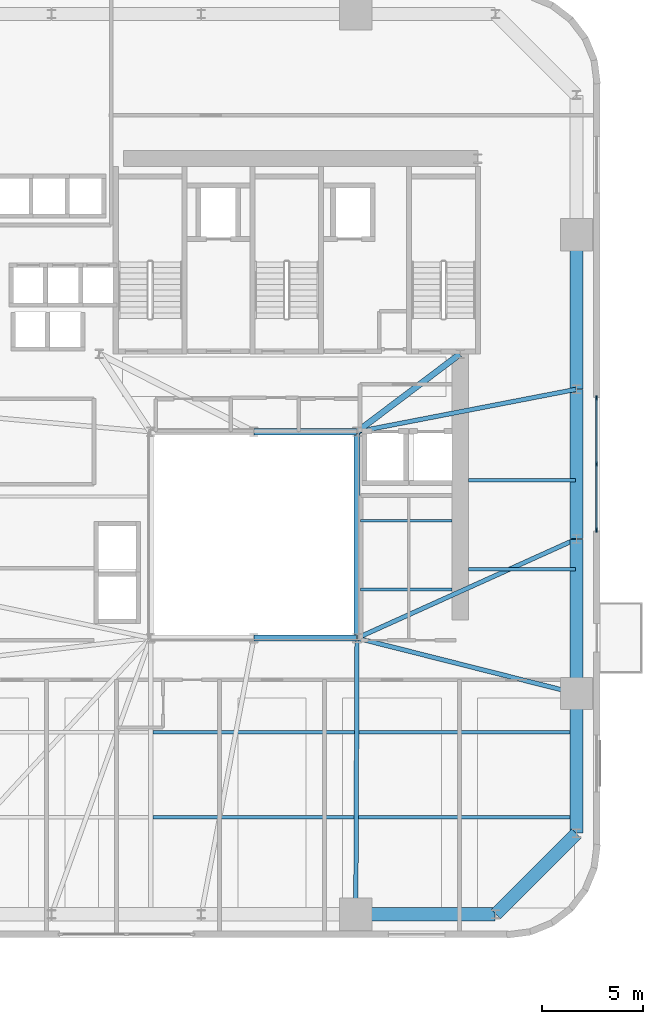
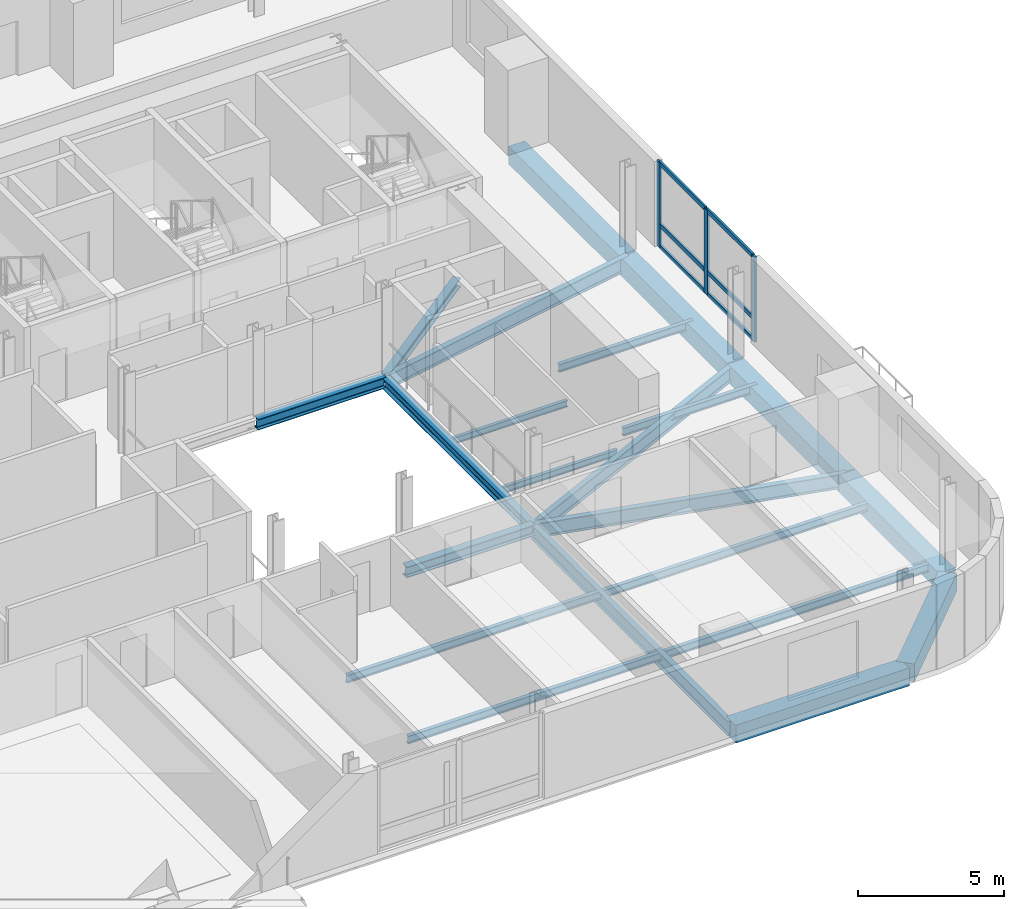
# One storey, part 3 of 14: 20 beams, 9 members, 1 element without a shape of its own.
"""IFC4 building model written with IfcOpenShell, lengths in metres."""

from ifc_helpers import new_model, si_unit, direction, frame, origin, origin_2d, place, context, subcontext, project, spatial, rectangle, i_section, extrude, source, transform, mapped, material, material_profile, profile_set, type_object, element, aggregate, save


model = new_model("IFC4")

# Units and contexts
model_context = context("Model", 3, precision=1e-05, world=origin(), true_north=direction((0.0, 1.0)))
body_context = subcontext(model_context, "Body", "Model", "MODEL_VIEW")
ifc_project = project(units=[si_unit("LENGTHUNIT", "METRE"), si_unit("AREAUNIT", "SQUARE_METRE"), si_unit("VOLUMEUNIT", "CUBIC_METRE"), si_unit("PLANEANGLEUNIT", "RADIAN"), si_unit("MASSUNIT", "GRAM", prefix="KILO")], contexts=[model_context])

# Site, building, storey
site_placement = place(None, origin())
site = spatial("IfcSite", under=ifc_project, at=site_placement, CompositionType="ELEMENT")
building_placement = place(site_placement, origin())
building = spatial("IfcBuilding", under=site, at=building_placement, Name="Vardaveli Station Tower", CompositionType="ELEMENT")
storey_placement = place(building_placement, frame((0.0, 0.0, 103.699951171875)))
storey = spatial("IfcBuildingStorey", under=building, at=storey_placement, Name="L26", CompositionType="ELEMENT", Elevation=103.699951171875)

# Beams
ifc_material_1 = material(Name="Structural steel S355J2", Category="steel")
ifc_material_profile_1 = material_profile(ifc_material_1, i_section(OverallWidth=0.300048828125, OverallDepth=0.449951171875, WebThickness=0.013916015625, FlangeThickness=0.02587890625, FilletRadius=0.027099609375, at=origin_2d()), Name="HEB 450")
ifc_profile_set_1 = profile_set([ifc_material_profile_1], Name="Structural steel S355J2")
beam_type_1 = type_object("IfcBeamType", Name="BM-HEB450", PredefinedType="BEAM", material=ifc_profile_set_1)
shared_shape_1 = source(origin(), body_context, "Body", "SweptSolid", [
    extrude(i_section(OverallWidth=0.300048828125, OverallDepth=0.449951171875, WebThickness=0.013916015625, FlangeThickness=0.02587890625, FilletRadius=0.027099609375, at=origin_2d()), origin(), (0.0, 0.0, 1.0), 5.059814453125),
])
for number, where, z_axis, x_axis, name in (
    (1, (36.320068359375, 16.60009765625, -0.46484375), (1.0, 0.0, 0.0), (0.0, 1.0, 0.0), "ABM-L26-02"),
    (2, (41.3798828125, 26.800048828125, -0.46484375), (-1.0, 0.0, 0.0), (0.0, -1.0, 0.0), "ABM-L26-04"),
):
    element("IfcBeam", number, at=place(storey_placement, frame(where, z_axis=z_axis, x_axis=x_axis)), inside=storey, type_object=beam_type_1, Name=name, PredefinedType="BEAM", context=body_context, shape_type="MappedRepresentation", body=[
        mapped(shared_shape_1, transform((0.0, 0.0, 0.0), scale=1.0)),
    ])
shared_shape_2 = source(origin(), body_context, "Body", "SweptSolid", [
    extrude(i_section(OverallWidth=0.300048828125, OverallDepth=0.449951171875, WebThickness=0.013916015625, FlangeThickness=0.02587890625, FilletRadius=0.027099609375, at=origin_2d()), origin(), (0.0, 0.0, 1.0), 10.159912109375),
])
beam_1_placement = place(storey_placement, frame((41.39990234375, 16.6201171875, -0.46484375), z_axis=(0.0, 1.0, 0.0), x_axis=(-1.0, 0.0, 0.0)))
element("IfcBeam", 3, at=beam_1_placement, inside=storey, type_object=beam_type_1, Name="ABM-L26-03", PredefinedType="BEAM", context=body_context, shape_type="MappedRepresentation", body=[
    mapped(shared_shape_2, transform((0.0, 0.0, 0.0), scale=1.0)),
])
ifc_material_profile_2 = material_profile(ifc_material_1, i_section(OverallWidth=0.300048828125, OverallDepth=0.360107421875, WebThickness=0.012451171875, FlangeThickness=0.0224609375, FilletRadius=0.027099609375, at=origin_2d()), Name="HEB 360")
ifc_profile_set_2 = profile_set([ifc_material_profile_2], Name="Structural steel S355J2")
beam_type_2 = type_object("IfcBeamType", Name="BM-HEB360", PredefinedType="BEAM", material=ifc_profile_set_2)
shared_shape_3 = source(origin(), body_context, "Body", "SweptSolid", [
    extrude(i_section(OverallWidth=0.300048828125, OverallDepth=0.360107421875, WebThickness=0.012451171875, FlangeThickness=0.0224609375, FilletRadius=0.027099609375, at=origin_2d()), origin(), (0.0, 0.0, 1.0), 6.35009765625),
])
beam_2_placement = place(storey_placement, frame((41.416015625, 26.81201171875, -0.419921875), z_axis=(0.798118337722, 0.602500721154, 0.0), x_axis=(-0.602500721154, 0.798118337722, 0.0)))
element("IfcBeam", 4, at=beam_2_placement, inside=storey, type_object=beam_type_2, Name="CBM-L26-02", PredefinedType="BEAM", context=body_context, shape_type="MappedRepresentation", body=[
    mapped(shared_shape_3, transform((0.0, 0.0, 0.0), scale=1.0)),
])
ifc_material_2 = material(Name="Precast concrete C45/55", Category="concrete")
ifc_material_profile_3 = material_profile(ifc_material_2, rectangle(XDim=0.64990234375, YDim=0.75, at=origin_2d()), Name="LPB 650x750")
ifc_profile_set_3 = profile_set([ifc_material_profile_3], Name="Precast concrete C45/55")
beam_type_3 = type_object("IfcBeamType", Name="BM-LPB-750", PredefinedType="BEAM", material=ifc_profile_set_3)
shared_shape_4 = source(origin(), body_context, "Body", "SweptSolid", [
    extrude(rectangle(XDim=0.64990234375, YDim=0.75, at=origin_2d()), origin(), (0.0, 0.0, 1.0), 7.60009765625),
])
for number, where, z_axis, x_axis, name in (
    (5, (52.25, 13.8798828125, -0.614990234375), (0.0, 1.0, 0.0), (-1.0, 0.0, 0.0), "RBM-L26-07"),
    (6, (52.25, 28.919921875, -0.614990234375), (0.0, 1.0, 0.0), (-1.0, 0.0, 0.0), "RBM-L26-09"),
):
    element("IfcBeam", number, at=place(storey_placement, frame(where, z_axis=z_axis, x_axis=x_axis)), inside=storey, type_object=beam_type_3, Name=name, PredefinedType="BEAM", context=body_context, shape_type="MappedRepresentation", body=[
        mapped(shared_shape_4, transform((0.0, 0.0, 0.0), scale=1.0)),
    ])
shared_shape_5 = source(origin(), body_context, "Body", "SweptSolid", [
    extrude(rectangle(XDim=0.64990234375, YDim=0.75, at=origin_2d()), origin(), (0.0, 0.0, 1.0), 7.35986328125),
])
beam_3_placement = place(storey_placement, frame((52.25, 21.52001953125, -0.614990234375), z_axis=(0.0, 1.0, 0.0), x_axis=(-1.0, 0.0, 0.0)))
element("IfcBeam", 7, at=beam_3_placement, inside=storey, type_object=beam_type_3, Name="RBM-L26-08", PredefinedType="BEAM", context=body_context, shape_type="MappedRepresentation", body=[
    mapped(shared_shape_5, transform((0.0, 0.0, 0.0), scale=1.0)),
])
shared_shape_6 = source(origin(), body_context, "Body", "SweptSolid", [
    extrude(rectangle(XDim=0.64990234375, YDim=0.75, at=origin_2d()), origin(), (0.0, 0.0, 1.0), 6.869873046875),
])
beam_4_placement = place(storey_placement, frame((41.360107421875, 2.949951171875, -0.614990234375), z_axis=(1.0, 0.0, 0.0), x_axis=(0.0, 1.0, 0.0)))
element("IfcBeam", 8, at=beam_4_placement, inside=storey, type_object=beam_type_3, Name="RBM-L26-04", PredefinedType="BEAM", context=body_context, shape_type="MappedRepresentation", body=[
    mapped(shared_shape_6, transform((0.0, 0.0, 0.0), scale=1.0)),
])
shared_shape_7 = source(origin(), body_context, "Body", "SweptSolid", [
    extrude(rectangle(XDim=0.64990234375, YDim=0.75, at=origin_2d()), origin(), (0.0, 0.0, 1.0), 5.61669921875),
])
beam_5_placement = place(storey_placement, frame((48.26416015625, 2.964111328125, -0.614990234375), z_axis=(0.707106781187, 0.707106781187, 0.0), x_axis=(-0.707106781187, 0.707106781187, 0.0)))
element("IfcBeam", 9, at=beam_5_placement, inside=storey, type_object=beam_type_3, Name="RBM-L26-05", PredefinedType="BEAM", context=body_context, shape_type="MappedRepresentation", body=[
    mapped(shared_shape_7, transform((0.0, 0.0, 0.0), scale=1.0)),
])
shared_shape_8 = source(origin(), body_context, "Body", "SweptSolid", [
    extrude(rectangle(XDim=0.64990234375, YDim=0.75, at=origin_2d()), origin(), (0.0, 0.0, 1.0), 6.8701171875),
])
beam_6_placement = place(storey_placement, frame((52.25, 6.969970703125, -0.614990234375), z_axis=(0.0, 1.0, 0.0), x_axis=(-1.0, 0.0, 0.0)))
element("IfcBeam", 10, at=beam_6_placement, inside=storey, type_object=beam_type_3, Name="RBM-L26-06", PredefinedType="BEAM", context=body_context, shape_type="MappedRepresentation", body=[
    mapped(shared_shape_8, transform((0.0, 0.0, 0.0), scale=1.0)),
])
ifc_material_profile_4 = material_profile(ifc_material_1, i_section(OverallWidth=0.159912109375, OverallDepth=0.330078125, WebThickness=0.007568359375, FlangeThickness=0.011474609375, FilletRadius=0.01806640625, at=origin_2d()), Name="IPE 330")
ifc_profile_set_4 = profile_set([ifc_material_profile_4], Name="Structural steel S355J2")
beam_type_4 = type_object("IfcBeamType", Name="BM-IPE330", PredefinedType="JOIST", material=ifc_profile_set_4)
shared_shape_9 = source(origin(), body_context, "Body", "SweptSolid", [
    extrude(i_section(OverallWidth=0.159912109375, OverallDepth=0.330078125, WebThickness=0.007568359375, FlangeThickness=0.011474609375, FilletRadius=0.01806640625, at=origin_2d()), origin(), (0.0, 0.0, 1.0), 20.89794921875),
])
for number, where, z_axis, x_axis, name in (
    (11, (31.31201171875, 7.75, -0.405029296875), (1.0, 0.0, 0.0), (0.0, 1.0, 0.0), "SJ-L26-S02"),
    (12, (31.31201171875, 11.949951171875, -0.405029296875), (1.0, 0.0, 0.0), (0.0, 1.0, 0.0), "SJ-L26-S04"),
):
    element("IfcBeam", number, at=place(storey_placement, frame(where, z_axis=z_axis, x_axis=x_axis)), inside=storey, type_object=beam_type_4, Name=name, PredefinedType="JOIST", context=body_context, shape_type="MappedRepresentation", body=[
        mapped(shared_shape_9, transform((0.0, 0.0, 0.0), scale=1.0)),
    ])
shared_shape_10 = source(origin(), body_context, "Body", "SweptSolid", [
    extrude(i_section(OverallWidth=0.159912109375, OverallDepth=0.330078125, WebThickness=0.007568359375, FlangeThickness=0.011474609375, FilletRadius=0.01806640625, at=origin_2d()), origin(), (0.0, 0.0, 1.0), 5.304931640625),
])
for number, where, z_axis, x_axis, name in (
    (13, (46.905029296875, 20.0, -0.405029296875), (1.0, 0.0, 0.0), (0.0, 1.0, 0.0), "SJ-L26-E07"),
    (14, (46.905029296875, 24.39990234375, -0.405029296875), (1.0, 0.0, 0.0), (0.0, 1.0, 0.0), "SJ-L26-E08"),
):
    element("IfcBeam", number, at=place(storey_placement, frame(where, z_axis=z_axis, x_axis=x_axis)), inside=storey, type_object=beam_type_4, Name=name, PredefinedType="JOIST", context=body_context, shape_type="MappedRepresentation", body=[
        mapped(shared_shape_10, transform((0.0, 0.0, 0.0), scale=1.0)),
    ])
ifc_material_profile_5 = material_profile(ifc_material_1, i_section(OverallWidth=0.135009765625, OverallDepth=0.27001953125, WebThickness=0.006591796875, FlangeThickness=0.01025390625, FilletRadius=0.014892578125, at=origin_2d()), Name="IPE 270")
ifc_profile_set_5 = profile_set([ifc_material_profile_5], Name="Structural steel S355J2")
beam_type_5 = type_object("IfcBeamType", Name="BM-IPE270", PredefinedType="BEAM", material=ifc_profile_set_5)
shared_shape_11 = source(origin(), body_context, "Body", "SweptSolid", [
    extrude(i_section(OverallWidth=0.135009765625, OverallDepth=0.27001953125, WebThickness=0.006591796875, FlangeThickness=0.01025390625, FilletRadius=0.014892578125, at=origin_2d()), origin(), (0.0, 0.0, 1.0), 4.530029296875),
])
for number, where, z_axis, x_axis, name in (
    (15, (41.56494140625, 19.0, -0.375), (1.0, 0.0, 0.0), (0.0, 1.0, 0.0), "TJ-L26-01"),
    (16, (41.56494140625, 22.39990234375, -0.375), (1.0, 0.0, 0.0), (0.0, 1.0, 0.0), "TJ-L26-02"),
):
    element("IfcBeam", number, at=place(storey_placement, frame(where, z_axis=z_axis, x_axis=x_axis)), inside=storey, type_object=beam_type_5, Name=name, PredefinedType="BEAM", context=body_context, shape_type="MappedRepresentation", body=[
        mapped(shared_shape_11, transform((0.0, 0.0, 0.0), scale=1.0)),
    ])
ifc_material_profile_6 = material_profile(ifc_material_1, i_section(OverallWidth=0.219970703125, OverallDepth=0.60009765625, WebThickness=0.011962890625, FlangeThickness=0.01904296875, FilletRadius=0.02392578125, at=origin_2d()), Name="IPE 600")
ifc_profile_set_6 = profile_set([ifc_material_profile_6], Name="Structural steel S355J2")
beam_type_6 = type_object("IfcBeamType", Name="BM-IPE600", PredefinedType="BEAM", material=ifc_profile_set_6)
shared_shape_12 = source(origin(), body_context, "Body", "SweptSolid", [
    extrude(i_section(OverallWidth=0.219970703125, OverallDepth=0.60009765625, WebThickness=0.011962890625, FlangeThickness=0.01904296875, FilletRadius=0.02392578125, at=origin_2d()), origin(), (0.0, 0.0, 1.0), 13.6103515625),
])
beam_7_placement = place(storey_placement, frame((41.340087890625, 2.969970703125, -0.5400390625), z_axis=(0.004394812886, 0.999990342763, 0.0), x_axis=(-0.999990342763, 0.004394812886, 0.0)))
element("IfcBeam", 17, at=beam_7_placement, inside=storey, type_object=beam_type_6, Name="GBM-L26-04", PredefinedType="BEAM", context=body_context, shape_type="MappedRepresentation", body=[
    mapped(shared_shape_12, transform((0.0, 0.0, 0.0), scale=1.0)),
])
shared_shape_13 = source(origin(), body_context, "Body", "SweptSolid", [
    extrude(i_section(OverallWidth=0.219970703125, OverallDepth=0.60009765625, WebThickness=0.011962890625, FlangeThickness=0.01904296875, FilletRadius=0.02392578125, at=origin_2d()), origin(), (0.0, 0.0, 1.0), 11.150634765625),
])
beam_8_placement = place(storey_placement, frame((52.230712890625, 13.864990234375, -0.5400390625), z_axis=(-0.969561465826, 0.244848042642, 0.0), x_axis=(-0.244848042642, -0.969561465826, 0.0)))
element("IfcBeam", 18, at=beam_8_placement, inside=storey, type_object=beam_type_6, Name="GBM-L26-05", PredefinedType="BEAM", context=body_context, shape_type="MappedRepresentation", body=[
    mapped(shared_shape_13, transform((0.0, 0.0, 0.0), scale=1.0)),
])
shared_shape_14 = source(origin(), body_context, "Body", "SweptSolid", [
    extrude(i_section(OverallWidth=0.219970703125, OverallDepth=0.60009765625, WebThickness=0.011962890625, FlangeThickness=0.01904296875, FilletRadius=0.02392578125, at=origin_2d()), origin(), (0.0, 0.0, 1.0), 11.864990234375),
])
beam_9_placement = place(storey_placement, frame((52.231689453125, 21.49169921875, -0.5400390625), z_axis=(-0.911369354756, -0.411589478985, 0.0), x_axis=(0.411589478985, -0.911369354756, 0.0)))
element("IfcBeam", 19, at=beam_9_placement, inside=storey, type_object=beam_type_6, Name="GBM-L26-06", PredefinedType="BEAM", context=body_context, shape_type="MappedRepresentation", body=[
    mapped(shared_shape_14, transform((0.0, 0.0, 0.0), scale=1.0)),
])
shared_shape_15 = source(origin(), body_context, "Body", "SweptSolid", [
    extrude(i_section(OverallWidth=0.219970703125, OverallDepth=0.60009765625, WebThickness=0.011962890625, FlangeThickness=0.01904296875, FilletRadius=0.02392578125, at=origin_2d()), origin(), (0.0, 0.0, 1.0), 11.011474609375),
])
beam_10_placement = place(storey_placement, frame((52.23046875, 28.896240234375, -0.5400390625), z_axis=(-0.981777849093, -0.190032247343, 0.0), x_axis=(0.190032247343, -0.981777849093, 0.0)))
element("IfcBeam", 20, at=beam_10_placement, inside=storey, type_object=beam_type_6, Name="GBM-L26-07", PredefinedType="BEAM", context=body_context, shape_type="MappedRepresentation", body=[
    mapped(shared_shape_15, transform((0.0, 0.0, 0.0), scale=1.0)),
])

# Curtain wall, members
ifc_material_3 = material(Name="Travertine stone and solar-control glass", Category="masonry")
curtain_wall_type = type_object("IfcCurtainWallType", Name="CW-SYS-2", PredefinedType="NOTDEFINED", material=ifc_material_3)
curtain_wall_placement = place(storey_placement, origin())
curtain_wall = element("IfcCurtainWall", 21, at=curtain_wall_placement, inside=storey, type_object=curtain_wall_type, Name="CW-L26-E", PredefinedType="NOTDEFINED")
ifc_material_4 = material(Name="Anodised aluminium alloy 6063-T6", Category="aluminium")
ifc_material_profile_7 = material_profile(ifc_material_4, rectangle(XDim=0.0849609375, YDim=0.179931640625, at=origin_2d()), Name="CWT 85x180")
ifc_profile_set_7 = profile_set([ifc_material_profile_7], Name="Anodised aluminium alloy 6063-T6")
member_type_1 = type_object("IfcMemberType", Name="CW-SYS-2-TRAN", PredefinedType="NOTDEFINED", material=ifc_profile_set_7)
shared_shape_16 = source(origin(), body_context, "Body", "SweptSolid", [
    extrude(rectangle(XDim=0.0849609375, YDim=0.179931640625, at=origin_2d()), origin(), (0.0, 0.0, 1.0), 3.172607421875),
])
member_1_placement = place(storey_placement, frame((53.239990234375, 25.242431640625, 0.04248046875), z_axis=(0.0, 1.0, 0.0), x_axis=(-1.0, 0.0, 0.0)))
member_1 = element("IfcMember", 22, at=member_1_placement, type_object=member_type_1, Name="CW-2 transom 2.1", ObjectType="TRANSOM", PredefinedType="USERDEFINED", context=body_context, shape_type="MappedRepresentation", body=[
    mapped(shared_shape_16, transform((0.0, 0.0, 0.0), scale=1.0)),
])
member_2_placement = place(storey_placement, frame((53.239990234375, 25.242431640625, 0.949951171875), z_axis=(0.0, 1.0, 0.0), x_axis=(-1.0, 0.0, 0.0)))
member_2 = element("IfcMember", 23, at=member_2_placement, type_object=member_type_1, Name="CW-2 transom 2.2", ObjectType="TRANSOM", PredefinedType="USERDEFINED", context=body_context, shape_type="MappedRepresentation", body=[
    mapped(shared_shape_16, transform((0.0, 0.0, 0.0), scale=1.0)),
])
member_3_placement = place(storey_placement, frame((53.239990234375, 25.242431640625, 3.517578125), z_axis=(0.0, 1.0, 0.0), x_axis=(-1.0, 0.0, 0.0)))
member_3 = element("IfcMember", 24, at=member_3_placement, type_object=member_type_1, Name="CW-2 transom 2.3", ObjectType="TRANSOM", PredefinedType="USERDEFINED", context=body_context, shape_type="MappedRepresentation", body=[
    mapped(shared_shape_16, transform((0.0, 0.0, 0.0), scale=1.0)),
])
shared_shape_17 = source(origin(), body_context, "Body", "SweptSolid", [
    extrude(rectangle(XDim=0.0849609375, YDim=0.179931640625, at=origin_2d()), origin(), (0.0, 0.0, 1.0), 3.17236328125),
])
member_4_placement = place(storey_placement, frame((53.239990234375, 21.985107421875, 0.04248046875), z_axis=(0.0, 1.0, 0.0), x_axis=(-1.0, 0.0, 0.0)))
member_4 = element("IfcMember", 25, at=member_4_placement, type_object=member_type_1, Name="CW-2 transom 1.1", ObjectType="TRANSOM", PredefinedType="USERDEFINED", context=body_context, shape_type="MappedRepresentation", body=[
    mapped(shared_shape_17, transform((0.0, 0.0, 0.0), scale=1.0)),
])
member_5_placement = place(storey_placement, frame((53.239990234375, 21.985107421875, 0.949951171875), z_axis=(0.0, 1.0, 0.0), x_axis=(-1.0, 0.0, 0.0)))
member_5 = element("IfcMember", 26, at=member_5_placement, type_object=member_type_1, Name="CW-2 transom 1.2", ObjectType="TRANSOM", PredefinedType="USERDEFINED", context=body_context, shape_type="MappedRepresentation", body=[
    mapped(shared_shape_17, transform((0.0, 0.0, 0.0), scale=1.0)),
])
member_6_placement = place(storey_placement, frame((53.239990234375, 21.985107421875, 3.517578125), z_axis=(0.0, 1.0, 0.0), x_axis=(-1.0, 0.0, 0.0)))
member_6 = element("IfcMember", 27, at=member_6_placement, type_object=member_type_1, Name="CW-2 transom 1.3", ObjectType="TRANSOM", PredefinedType="USERDEFINED", context=body_context, shape_type="MappedRepresentation", body=[
    mapped(shared_shape_17, transform((0.0, 0.0, 0.0), scale=1.0)),
])
ifc_material_profile_8 = material_profile(ifc_material_4, rectangle(XDim=0.0849609375, YDim=0.219970703125, at=origin_2d()), Name="CWM 85x220")
ifc_profile_set_8 = profile_set([ifc_material_profile_8], Name="Anodised aluminium alloy 6063-T6")
member_type_2 = type_object("IfcMemberType", Name="CW-SYS-2-MULL", PredefinedType="MULLION", material=ifc_profile_set_8)
shared_shape_18 = source(origin(), body_context, "Body", "SweptSolid", [
    extrude(rectangle(XDim=0.0849609375, YDim=0.219970703125, at=origin_2d()), origin(), (0.0, 0.0, 1.0), 3.56005859375),
])
member_7_placement = place(storey_placement, frame((53.239990234375, 21.9423828125, 0.0), z_axis=(0.0, 0.0, 1.0), x_axis=(-1.0, 0.0, 0.0)))
member_7 = element("IfcMember", 28, at=member_7_placement, type_object=member_type_2, Name="CW-2 mullion 1", PredefinedType="MULLION", context=body_context, shape_type="MappedRepresentation", body=[
    mapped(shared_shape_18, transform((0.0, 0.0, 0.0), scale=1.0)),
])
member_8_placement = place(storey_placement, frame((53.239990234375, 25.199951171875, 0.0), z_axis=(0.0, 0.0, 1.0), x_axis=(-1.0, 0.0, 0.0)))
member_8 = element("IfcMember", 29, at=member_8_placement, type_object=member_type_2, Name="CW-2 mullion 2", PredefinedType="MULLION", context=body_context, shape_type="MappedRepresentation", body=[
    mapped(shared_shape_18, transform((0.0, 0.0, 0.0), scale=1.0)),
])
member_9_placement = place(storey_placement, frame((53.239990234375, 28.45751953125, 0.0), z_axis=(0.0, 0.0, 1.0), x_axis=(-1.0, 0.0, 0.0)))
member_9 = element("IfcMember", 30, at=member_9_placement, type_object=member_type_2, Name="CW-2 mullion 3", PredefinedType="MULLION", context=body_context, shape_type="MappedRepresentation", body=[
    mapped(shared_shape_18, transform((0.0, 0.0, 0.0), scale=1.0)),
])
aggregate(curtain_wall, [member_7, member_8, member_9, member_4, member_5, member_6, member_1, member_2, member_3])

save(model, "model.ifc")
